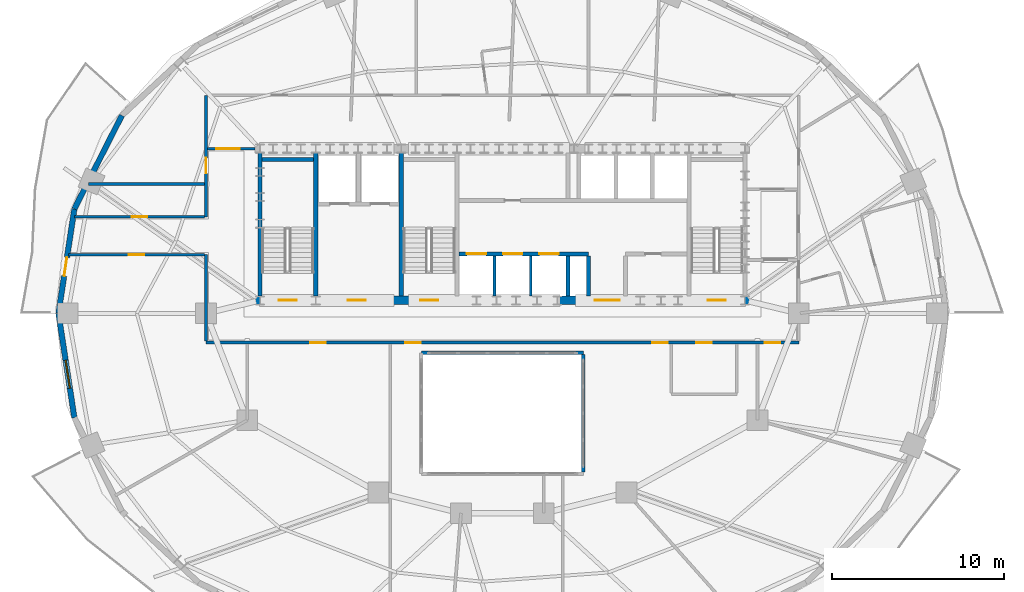
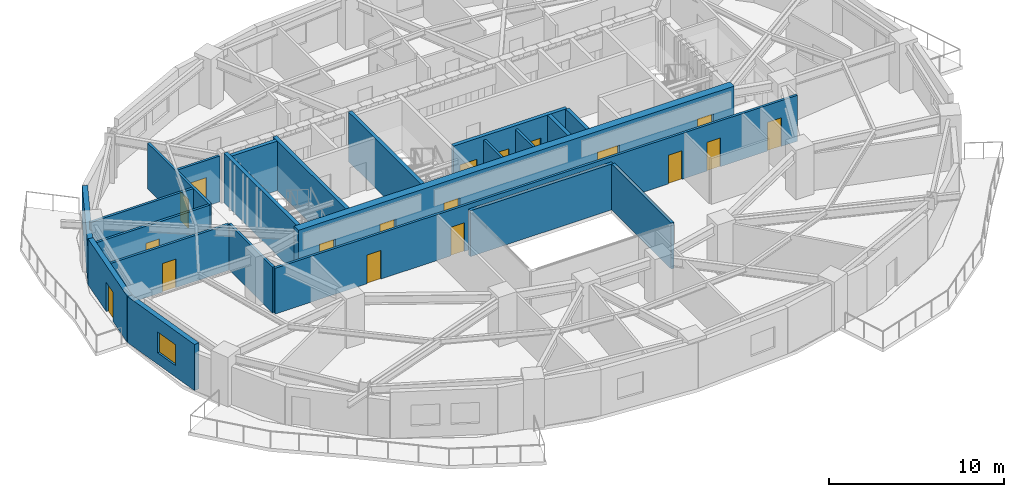
# One storey, part 6 of 13: 22 walls, 18 doors, 1 window, 19 openings.
"""IFC4 building model written with IfcOpenShell, lengths in metres."""

from ifc_helpers import new_model, si_unit, direction, frame, frame_2d, origin, place, context, subcontext, project, spatial, rectangle, extrude, material, layer, layer_set, type_object, element, fill, save


model = new_model("IFC4")

# Units and contexts
model_context = context("Model", 3, precision=1e-05, world=origin(), true_north=direction((0.0, 1.0)))
body_context = subcontext(model_context, "Body", "Model", "MODEL_VIEW")
ifc_project = project(units=[si_unit("LENGTHUNIT", "METRE"), si_unit("AREAUNIT", "SQUARE_METRE"), si_unit("VOLUMEUNIT", "CUBIC_METRE"), si_unit("PLANEANGLEUNIT", "RADIAN"), si_unit("MASSUNIT", "GRAM", prefix="KILO")], contexts=[model_context])

# Site, building, storey
site_placement = place(None, origin())
site = spatial("IfcSite", under=ifc_project, at=site_placement, CompositionType="ELEMENT")
building_placement = place(site_placement, origin())
building = spatial("IfcBuilding", under=site, at=building_placement, Name="Haldorwick Loom Tower", CompositionType="ELEMENT")
storey_placement = place(building_placement, frame((0.0, 0.0, 139.10009765625)))
storey = spatial("IfcBuildingStorey", under=building, at=storey_placement, Name="L37", CompositionType="ELEMENT", Elevation=139.10009765625)

# Wall
ifc_material_1 = material(Name="Pressed Clay Face Brick and Insulated Masonry Backup Assembly", Category="masonry")
ifc_layer_1 = layer(ifc_material_1, 0.320068359375, Name="Pressed Clay Face Brick and Insulated Masonry Backup Assembly", Category="masonry")
ifc_layer_set_1 = layer_set([ifc_layer_1], Name="Pressed Clay Face Brick and Insulated Masonry Backup Assembly")
wall_type_1 = type_object("IfcWallType", Name="ARC-WL-EXT320", PredefinedType="STANDARD", material=ifc_layer_set_1)
wall_1_placement = place(storey_placement, frame((13.92333984375, 37.481201171875, 0.0), z_axis=(0.0, 0.0, 1.0), x_axis=(-0.453172129629, -0.89142303141, 0.0)))
element("IfcWall", 1, at=wall_1_placement, inside=storey, type_object=wall_type_1, Name="L37 Brick Pier and Spandrel Wall 11", PredefinedType="STANDARD", context=body_context, shape_type="SweptSolid", body=[
    extrude(rectangle(XDim=6.086669921875, YDim=0.320068359375, at=frame_2d((3.04345703125, 0.0))), origin(), (0.0, 0.0, 1.0), 2.640869140625),
])

# Wall, opening, door
wall_2_placement = place(storey_placement, frame((11.1650390625, 32.055419921875, 0.0), z_axis=(0.0, 0.0, 1.0), x_axis=(-0.150544467684, -0.988603238539, 0.0)))
wall_2 = element("IfcWall", 2, at=wall_2_placement, inside=storey, type_object=wall_type_1, Name="L37 Brick Pier and Spandrel Wall 12", PredefinedType="STANDARD", context=body_context, shape_type="SweptSolid", body=[
    extrude(rectangle(XDim=6.125244140625, YDim=0.320068359375, at=frame_2d((3.0625, 0.0))), origin(), (0.0, 0.0, 1.0), 3.2099609375),
])
opening_1_placement = place(wall_2_placement, frame((2.8515625, 0.0, 0.0)))
opening_1 = element("IfcOpeningElement", 3, at=opening_1_placement, cuts=wall_2, Name="Opening D-BL11", PredefinedType="OPENING", context=body_context, shape_type="SweptSolid", body=[
    extrude(rectangle(XDim=1.080078125, YDim=2.0400390625, at=frame_2d((0.5400390625, 1.02001953125))), frame((0.0, 0.169921875, 0.0), z_axis=(0.0, -1.0, 0.0), x_axis=(1.0, 0.0, 0.0)), (0.0, 0.0, 1.0), 0.340087890625),
])
ifc_material_2 = material(Name="Thermally Broken Anodized Aluminium Curtain Wall Framing", Category="aluminium")
door_type_1 = type_object("IfcDoorType", Name="ARC-DR-BAL110", OperationType="NOTDEFINED", PredefinedType="DOOR", material=ifc_material_2)
door_1_placement = place(opening_1_placement, origin())
door_1 = element("IfcDoor", 4, at=door_1_placement, inside=storey, type_object=door_type_1, Name="L37 Outdoor Terrace Door SLB-L37-BAL_WNW", OperationType="SINGLE_SWING_LEFT", OverallHeight=2.0400390625, OverallWidth=1.080078125, PredefinedType="DOOR", context=body_context, shape_type="SweptSolid", body=[
    extrude(rectangle(XDim=1.080078125, YDim=2.0400390625, at=frame_2d((0.5400390625, 1.02001953125))), frame((0.0, 0.02490234375, 0.0), z_axis=(0.0, -1.0, 0.0), x_axis=(1.0, 0.0, 0.0)), (0.0, 0.0, 1.0), 0.050048828125),
])
fill(opening_1, door_1)

# Wall, opening, window
wall_3_placement = place(storey_placement, frame((10.242919921875, 26.0, 0.0), z_axis=(0.0, 0.0, 1.0), x_axis=(0.150544467684, -0.988603238539, 0.0)))
wall_3 = element("IfcWall", 5, at=wall_3_placement, inside=storey, type_object=wall_type_1, Name="L37 Brick Pier and Spandrel Wall 13", PredefinedType="STANDARD", context=body_context, shape_type="SweptSolid", body=[
    extrude(rectangle(XDim=6.125244140625, YDim=0.320068359375, at=frame_2d((3.0625, 0.0))), origin(), (0.0, 0.0, 1.0), 3.2099609375),
])
opening_2_placement = place(wall_3_placement, frame((2.749755859375, 0.0, 0.800048828125)))
opening_2 = element("IfcOpeningElement", 6, at=opening_2_placement, cuts=wall_3, Name="Opening W-01B", PredefinedType="OPENING", context=body_context, shape_type="SweptSolid", body=[
    extrude(rectangle(XDim=1.64990234375, YDim=1.449951171875, at=frame_2d((0.824951171875, 0.72509765625))), frame((0.0, 0.169921875, 0.0), z_axis=(0.0, -1.0, 0.0), x_axis=(1.0, 0.0, 0.0)), (0.0, 0.0, 1.0), 0.340087890625),
])
ifc_material_3 = material(Name="Triple-Glazed Low-E Argon Insulated Glazing Unit", Category="glass")
window_type = type_object("IfcWindowType", Name="ARC-WIN-W165", PartitioningType="SINGLE_PANEL", PredefinedType="WINDOW", material=ifc_material_3)
window_placement = place(opening_2_placement, origin())
window = element("IfcWindow", 7, at=window_placement, inside=storey, type_object=window_type, Name="L37 Deep-Set Zone 7A Window 13", OverallHeight=1.449951171875, OverallWidth=1.64990234375, PartitioningType="SINGLE_PANEL", PredefinedType="WINDOW", context=body_context, shape_type="SweptSolid", body=[
    extrude(rectangle(XDim=1.64990234375, YDim=1.449951171875, at=frame_2d((0.824951171875, 0.72509765625))), frame((0.0, 0.030029296875, 0.0), z_axis=(0.0, -1.0, 0.0), x_axis=(1.0, 0.0, 0.0)), (0.0, 0.0, 1.0), 0.06005859375),
])
fill(opening_2, window)

# Wall, openings, doors
ifc_material_4 = material(Name="Fire-Rated Type X Gypsum Stud Assembly EI 60")
ifc_layer_2 = layer(ifc_material_4, 0.159912109375, Name="Fire-Rated Type X Gypsum Stud Assembly EI 60")
ifc_layer_set_2 = layer_set([ifc_layer_2], Name="Fire-Rated Type X Gypsum Stud Assembly EI 60")
wall_type_2 = type_object("IfcWallType", Name="ARC-WL-FIRE160", PredefinedType="PARTITIONING", material=ifc_layer_set_2)
wall_4_placement = place(storey_placement, frame((18.800048828125, 24.300048828125, 0.0), z_axis=(0.0, 0.0, 1.0), x_axis=(1.0, 0.0, 0.0)))
wall_4 = element("IfcWall", 8, at=wall_4_placement, inside=storey, type_object=wall_type_2, Name="L37 Residential Fire Partition L37-CR-SP", PredefinedType="PARTITIONING", context=body_context, shape_type="SweptSolid", body=[
    extrude(rectangle(XDim=34.39990234375, YDim=0.159912109375, at=frame_2d((17.199951171875, 0.0))), origin(), (0.0, 0.0, 1.0), 3.19482421875),
])
opening_3_placement = place(wall_4_placement, frame((25.9013671875, 0.0, 0.0)))
opening_3 = element("IfcOpeningElement", 9, at=opening_3_placement, cuts=wall_4, Name="Opening D-FD60A", PredefinedType="OPENING", context=body_context, shape_type="SweptSolid", body=[
    extrude(rectangle(XDim=0.89990234375, YDim=2.0, at=frame_2d((0.449951171875, 1.0))), frame((0.0, 0.08984375, 0.0), z_axis=(0.0, -1.0, 0.0), x_axis=(1.0, 0.0, 0.0)), (0.0, 0.0, 1.0), 0.179931640625),
])
opening_4_placement = place(wall_4_placement, frame((11.56591796875, 0.0, 0.0)))
opening_4 = element("IfcOpeningElement", 10, at=opening_4_placement, cuts=wall_4, Name="Opening D-FD60A", PredefinedType="OPENING", context=body_context, shape_type="SweptSolid", body=[
    extrude(rectangle(XDim=0.89990234375, YDim=2.0, at=frame_2d((0.449951171875, 1.0))), frame((0.0, 0.08984375, 0.0), z_axis=(0.0, -1.0, 0.0), x_axis=(1.0, 0.0, 0.0)), (0.0, 0.0, 1.0), 0.179931640625),
])
opening_5_placement = place(wall_4_placement, frame((6.05517578125, 0.0, 0.0)))
opening_5 = element("IfcOpeningElement", 11, at=opening_5_placement, cuts=wall_4, Name="Opening D-FD60A", PredefinedType="OPENING", context=body_context, shape_type="SweptSolid", body=[
    extrude(rectangle(XDim=0.89990234375, YDim=2.0, at=frame_2d((0.449951171875, 1.0))), frame((0.0, 0.08984375, 0.0), z_axis=(0.0, -1.0, 0.0), x_axis=(1.0, 0.0, 0.0)), (0.0, 0.0, 1.0), 0.179931640625),
])
opening_6_placement = place(wall_4_placement, frame((28.437255859375, 0.0, 0.0)))
opening_6 = element("IfcOpeningElement", 12, at=opening_6_placement, cuts=wall_4, Name="Opening D-FD60A", PredefinedType="OPENING", context=body_context, shape_type="SweptSolid", body=[
    extrude(rectangle(XDim=0.89990234375, YDim=2.0, at=frame_2d((0.449951171875, 1.0))), frame((0.0, 0.08984375, 0.0), z_axis=(0.0, -1.0, 0.0), x_axis=(1.0, 0.0, 0.0)), (0.0, 0.0, 1.0), 0.179931640625),
])
opening_7_placement = place(wall_4_placement, frame((32.436767578125, 0.0, 0.0)))
opening_7 = element("IfcOpeningElement", 13, at=opening_7_placement, cuts=wall_4, Name="Opening D-FD60A", PredefinedType="OPENING", context=body_context, shape_type="SweptSolid", body=[
    extrude(rectangle(XDim=0.89990234375, YDim=2.0, at=frame_2d((0.449951171875, 1.0))), frame((0.0, 0.08984375, 0.0), z_axis=(0.0, -1.0, 0.0), x_axis=(1.0, 0.0, 0.0)), (0.0, 0.0, 1.0), 0.179931640625),
])
ifc_material_5 = material(Name="Hollow Steel Fire Door Assembly", Category="steel")
door_type_2 = type_object("IfcDoorType", Name="ARC-DR-FD60-90", OperationType="NOTDEFINED", PredefinedType="DOOR", material=ifc_material_5)
door_2_placement = place(opening_3_placement, origin())
door_2 = element("IfcDoor", 14, at=door_2_placement, inside=storey, type_object=door_type_2, Name="L37 L37 Central Residential Corridor to Shared Resident Dining Hall 2 Do", OperationType="SINGLE_SWING_LEFT", OverallHeight=2.0, OverallWidth=0.89990234375, PredefinedType="DOOR", context=body_context, shape_type="SweptSolid", body=[
    extrude(rectangle(XDim=0.89990234375, YDim=2.0, at=frame_2d((0.449951171875, 1.0))), frame((0.0, 0.02490234375, 0.0), z_axis=(0.0, -1.0, 0.0), x_axis=(1.0, 0.0, 0.0)), (0.0, 0.0, 1.0), 0.050048828125),
])
fill(opening_3, door_2)
door_3_placement = place(opening_4_placement, origin())
door_3 = element("IfcDoor", 15, at=door_3_placement, inside=storey, type_object=door_type_2, Name="L37 L37 Central Residential Corridor to Shared Resident Dining Hall 1 Do", OperationType="SINGLE_SWING_RIGHT", OverallHeight=2.0, OverallWidth=0.89990234375, PredefinedType="DOOR", context=body_context, shape_type="SweptSolid", body=[
    extrude(rectangle(XDim=0.89990234375, YDim=2.0, at=frame_2d((0.449951171875, 1.0))), frame((0.0, 0.02490234375, 0.0), z_axis=(0.0, -1.0, 0.0), x_axis=(1.0, 0.0, 0.0)), (0.0, 0.0, 1.0), 0.050048828125),
])
fill(opening_4, door_3)
door_4_placement = place(opening_5_placement, origin())
door_4 = element("IfcDoor", 16, at=door_4_placement, inside=storey, type_object=door_type_2, Name="L37 L37 Central Residential Corridor to Shared Resident Dining Hall 3 Do", OperationType="SINGLE_SWING_LEFT", OverallHeight=2.0, OverallWidth=0.89990234375, PredefinedType="DOOR", context=body_context, shape_type="SweptSolid", body=[
    extrude(rectangle(XDim=0.89990234375, YDim=2.0, at=frame_2d((0.449951171875, 1.0))), frame((0.0, 0.02490234375, 0.0), z_axis=(0.0, -1.0, 0.0), x_axis=(1.0, 0.0, 0.0)), (0.0, 0.0, 1.0), 0.050048828125),
])
fill(opening_5, door_4)
door_5_placement = place(opening_6_placement, origin())
door_5 = element("IfcDoor", 17, at=door_5_placement, inside=storey, type_object=door_type_2, Name="L37 L37 Central Residential Corridor to Common Accessible WC Door", OperationType="SINGLE_SWING_LEFT", OverallHeight=2.0, OverallWidth=0.89990234375, PredefinedType="DOOR", context=body_context, shape_type="SweptSolid", body=[
    extrude(rectangle(XDim=0.89990234375, YDim=2.0, at=frame_2d((0.449951171875, 1.0))), frame((0.0, 0.02490234375, 0.0), z_axis=(0.0, -1.0, 0.0), x_axis=(1.0, 0.0, 0.0)), (0.0, 0.0, 1.0), 0.050048828125),
])
fill(opening_6, door_5)
door_6_placement = place(opening_7_placement, origin())
door_6 = element("IfcDoor", 18, at=door_6_placement, inside=storey, type_object=door_type_2, Name="L37 L37 Central Residential Corridor to Shared Resident Dining Hall 2 Do", OperationType="SINGLE_SWING_RIGHT", OverallHeight=2.0, OverallWidth=0.89990234375, PredefinedType="DOOR", context=body_context, shape_type="SweptSolid", body=[
    extrude(rectangle(XDim=0.89990234375, YDim=2.0, at=frame_2d((0.449951171875, 1.0))), frame((0.0, 0.02490234375, 0.0), z_axis=(0.0, -1.0, 0.0), x_axis=(1.0, 0.0, 0.0)), (0.0, 0.0, 1.0), 0.050048828125),
])
fill(opening_7, door_6)

# Wall
wall_5_placement = place(storey_placement, frame((18.800048828125, 24.383056640625, 0.0), z_axis=(0.0, 0.0, 1.0), x_axis=(0.0, 1.0, 0.0)))
element("IfcWall", 19, at=wall_5_placement, inside=storey, type_object=wall_type_2, Name="L37 Residential Fire Partition L37-CR-W0A", PredefinedType="PARTITIONING", context=body_context, shape_type="SweptSolid", body=[
    extrude(rectangle(XDim=5.016845703125, YDim=0.159912109375, at=frame_2d((2.50830078125, 0.0))), origin(), (0.0, 0.0, 1.0), 3.19482421875),
])

# Wall, opening, door
wall_6_placement = place(storey_placement, frame((18.800048828125, 31.60009765625, 0.0), z_axis=(0.0, 0.0, 1.0), x_axis=(0.0, 1.0, 0.0)))
wall_6 = element("IfcWall", 20, at=wall_6_placement, inside=storey, type_object=wall_type_2, Name="L37 Residential Fire Partition L37-CR-W0B", PredefinedType="PARTITIONING", context=body_context, shape_type="SweptSolid", body=[
    extrude(rectangle(XDim=7.0498046875, YDim=0.159912109375, at=frame_2d((3.52490234375, 0.0))), origin(), (0.0, 0.0, 1.0), 3.19482421875),
])
opening_8_placement = place(wall_6_placement, frame((2.524169921875, 0.0, 0.0)))
opening_8 = element("IfcOpeningElement", 21, at=opening_8_placement, cuts=wall_6, Name="Opening D-FD60A", PredefinedType="OPENING", context=body_context, shape_type="SweptSolid", body=[
    extrude(rectangle(XDim=0.89990234375, YDim=2.0, at=frame_2d((0.449951171875, 1.0))), frame((0.0, 0.08984375, 0.0), z_axis=(0.0, -1.0, 0.0), x_axis=(1.0, 0.0, 0.0)), (0.0, 0.0, 1.0), 0.179931640625),
])
door_7_placement = place(opening_8_placement, frame((0.89990234375, 0.0, 0.0), z_axis=(0.0, 0.0, 1.0), x_axis=(-1.0, 0.0, 0.0)))
door_7 = element("IfcDoor", 22, at=door_7_placement, inside=storey, type_object=door_type_2, Name="L37 Shared Resident Dining Hall 5 to L37 Central Residential Corridor Do", OperationType="SINGLE_SWING_LEFT", OverallHeight=2.0, OverallWidth=0.89990234375, PredefinedType="DOOR", context=body_context, shape_type="SweptSolid", body=[
    extrude(rectangle(XDim=0.89990234375, YDim=2.0, at=frame_2d((0.449951171875, 1.0))), frame((0.0, 0.02490234375, 0.0), z_axis=(0.0, -1.0, 0.0), x_axis=(1.0, 0.0, 0.0)), (0.0, 0.0, 1.0), 0.050048828125),
])
fill(opening_8, door_7)

wall_7_placement = place(storey_placement, frame((10.826416015625, 29.39990234375, 0.0), z_axis=(0.0, 0.0, 1.0), x_axis=(1.0, 0.0, 0.0)))
wall_7 = element("IfcWall", 23, at=wall_7_placement, inside=storey, type_object=wall_type_2, Name="L37 Residential Fire Partition L37-CR-GW0", PredefinedType="PARTITIONING", context=body_context, shape_type="SweptSolid", body=[
    extrude(rectangle(XDim=7.890625, YDim=0.159912109375, at=frame_2d((3.9453125, 0.0))), origin(), (0.0, 0.0, 1.0), 3.19482421875),
])
opening_9_placement = place(wall_7_placement, frame((3.4951171875, 0.0, 0.0)))
opening_9 = element("IfcOpeningElement", 24, at=opening_9_placement, cuts=wall_7, Name="Opening D-FD60A", PredefinedType="OPENING", context=body_context, shape_type="SweptSolid", body=[
    extrude(rectangle(XDim=0.89990234375, YDim=2.0, at=frame_2d((0.449951171875, 1.0))), frame((0.0, 0.08984375, 0.0), z_axis=(0.0, -1.0, 0.0), x_axis=(1.0, 0.0, 0.0)), (0.0, 0.0, 1.0), 0.179931640625),
])
door_8_placement = place(opening_9_placement, origin())
door_8 = element("IfcDoor", 25, at=door_8_placement, inside=storey, type_object=door_type_2, Name="L37 L37 Central Residential Corridor to Shared Resident Dining Hall 3 Do", OperationType="SINGLE_SWING_RIGHT", OverallHeight=2.0, OverallWidth=0.89990234375, PredefinedType="DOOR", context=body_context, shape_type="SweptSolid", body=[
    extrude(rectangle(XDim=0.89990234375, YDim=2.0, at=frame_2d((0.449951171875, 1.0))), frame((0.0, 0.02490234375, 0.0), z_axis=(0.0, -1.0, 0.0), x_axis=(1.0, 0.0, 0.0)), (0.0, 0.0, 1.0), 0.050048828125),
])
fill(opening_9, door_8)

wall_8_placement = place(storey_placement, frame((11.16162109375, 31.60009765625, 0.0), z_axis=(0.0, 0.0, 1.0), x_axis=(1.0, 0.0, 0.0)))
wall_8 = element("IfcWall", 26, at=wall_8_placement, inside=storey, type_object=wall_type_2, Name="L37 Residential Fire Partition L37-CR-GW1", PredefinedType="PARTITIONING", context=body_context, shape_type="SweptSolid", body=[
    extrude(rectangle(XDim=7.555419921875, YDim=0.159912109375, at=frame_2d((3.77783203125, 0.0))), origin(), (0.0, 0.0, 1.0), 3.19482421875),
])
opening_10_placement = place(wall_8_placement, frame((3.32763671875, 0.0, 0.0)))
opening_10 = element("IfcOpeningElement", 27, at=opening_10_placement, cuts=wall_8, Name="Opening D-FD60A", PredefinedType="OPENING", context=body_context, shape_type="SweptSolid", body=[
    extrude(rectangle(XDim=0.89990234375, YDim=2.0, at=frame_2d((0.449951171875, 1.0))), frame((0.0, 0.08984375, 0.0), z_axis=(0.0, -1.0, 0.0), x_axis=(1.0, 0.0, 0.0)), (0.0, 0.0, 1.0), 0.179931640625),
])
door_9_placement = place(opening_10_placement, frame((0.89990234375, 0.0, 0.0), z_axis=(0.0, 0.0, 1.0), x_axis=(-1.0, 0.0, 0.0)))
door_9 = element("IfcDoor", 28, at=door_9_placement, inside=storey, type_object=door_type_2, Name="L37 Shared Dining Hall 1 to L37 Central Residential Corridor Door", OperationType="SINGLE_SWING_LEFT", OverallHeight=2.0, OverallWidth=0.89990234375, PredefinedType="DOOR", context=body_context, shape_type="SweptSolid", body=[
    extrude(rectangle(XDim=0.89990234375, YDim=2.0, at=frame_2d((0.449951171875, 1.0))), frame((0.0, 0.02490234375, 0.0), z_axis=(0.0, -1.0, 0.0), x_axis=(1.0, 0.0, 0.0)), (0.0, 0.0, 1.0), 0.050048828125),
])
fill(opening_10, door_9)

wall_9_placement = place(storey_placement, frame((18.883056640625, 35.550048828125, 0.0), z_axis=(0.0, 0.0, 1.0), x_axis=(1.0, 0.0, 0.0)))
wall_9 = element("IfcWall", 29, at=wall_9_placement, inside=storey, type_object=wall_type_2, Name="L37 Residential Fire Partition L37-CR-WNC", PredefinedType="PARTITIONING", context=body_context, shape_type="SweptSolid", body=[
    extrude(rectangle(XDim=2.766845703125, YDim=0.159912109375, at=frame_2d((1.38330078125, 0.0))), origin(), (0.0, 0.0, 1.0), 3.19482421875),
])
opening_11_placement = place(wall_9_placement, frame((0.524169921875, 0.0, 0.0)))
opening_11 = element("IfcOpeningElement", 30, at=opening_11_placement, cuts=wall_9, Name="Opening D-CR15", PredefinedType="OPENING", context=body_context, shape_type="SweptSolid", body=[
    extrude(rectangle(XDim=1.35009765625, YDim=2.0, at=frame_2d((0.675048828125, 1.0))), frame((0.0, 0.08984375, 0.0), z_axis=(0.0, -1.0, 0.0), x_axis=(1.0, 0.0, 0.0)), (0.0, 0.0, 1.0), 0.179931640625),
])
ifc_material_6 = material(Name="Thermally Broken Anodized Aluminium and Tempered Glass", Category="aluminium")
door_type_3 = type_object("IfcDoorType", Name="ARC-DR-COR150", OperationType="NOTDEFINED", PredefinedType="DOOR", material=ifc_material_6)
door_10_placement = place(opening_11_placement, origin())
door_10 = element("IfcDoor", 31, at=door_10_placement, inside=storey, type_object=door_type_3, Name="L37 L37 North Residential Corridor to L37 Central Residential Corridor D", OperationType="DOUBLE_DOOR_SINGLE_SWING", OverallHeight=2.0, OverallWidth=1.35009765625, PredefinedType="DOOR", context=body_context, shape_type="SweptSolid", body=[
    extrude(rectangle(XDim=1.35009765625, YDim=2.0, at=frame_2d((0.675048828125, 1.0))), frame((0.0, 0.02490234375, 0.0), z_axis=(0.0, -1.0, 0.0), x_axis=(1.0, 0.0, 0.0)), (0.0, 0.0, 1.0), 0.050048828125),
])
fill(opening_11, door_10)

# Walls
wall_10_placement = place(storey_placement, frame((11.972412109375, 33.5, 0.0), z_axis=(0.0, 0.0, 1.0), x_axis=(1.0, 0.0, 0.0)))
element("IfcWall", 32, at=wall_10_placement, inside=storey, type_object=wall_type_2, Name="L37 Residential Fire Partition L37-FLW-15", PredefinedType="PARTITIONING", context=body_context, shape_type="SweptSolid", body=[
    extrude(rectangle(XDim=6.74462890625, YDim=0.159912109375, at=frame_2d((3.372314453125, 0.0))), origin(), (0.0, 0.0, 1.0), 3.19482421875),
])
ifc_material_7 = material(Name="Fire-Rated Type X Gypsum Stud Assembly EI 120")
ifc_layer_3 = layer(ifc_material_7, 0.199951171875, Name="Fire-Rated Type X Gypsum Stud Assembly EI 120")
ifc_layer_set_3 = layer_set([ifc_layer_3], Name="Fire-Rated Type X Gypsum Stud Assembly EI 120")
wall_type_3 = type_object("IfcWallType", Name="ARC-WL-FIRE200", PredefinedType="PARTITIONING", material=ifc_layer_set_3)
wall_11_placement = place(storey_placement, frame((31.300048828125, 23.699951171875, 0.0), z_axis=(0.0, 0.0, 1.0), x_axis=(1.0, 0.0, 0.0)))
element("IfcWall", 33, at=wall_11_placement, inside=storey, type_object=wall_type_3, Name="L37 Atrium Fire Enclosure Wall N", PredefinedType="PARTITIONING", context=body_context, shape_type="SweptSolid", body=[
    extrude(rectangle(XDim=9.39990234375, YDim=0.199951171875, at=frame_2d((4.699951171875, 0.0))), origin(), (0.0, 0.0, 1.0), 3.19482421875),
])
wall_12_placement = place(storey_placement, frame((40.699951171875, 23.596923828125, 0.0), z_axis=(0.0, 0.0, 1.0), x_axis=(0.0, -1.0, 0.0)))
element("IfcWall", 34, at=wall_12_placement, inside=storey, type_object=wall_type_3, Name="L37 Atrium Fire Enclosure Wall E", PredefinedType="PARTITIONING", context=body_context, shape_type="SweptSolid", body=[
    extrude(rectangle(XDim=6.7939453125, YDim=0.199951171875, at=frame_2d((3.39697265625, 0.0))), origin(), (0.0, 0.0, 1.0), 3.19482421875),
])
ifc_layer_4 = layer(ifc_material_7, 0.1650390625, Name="Fire-Rated Type X Gypsum Stud Assembly EI 120")
ifc_layer_set_4 = layer_set([ifc_layer_4], Name="Fire-Rated Type X Gypsum Stud Assembly EI 120")
wall_type_4 = type_object("IfcWallType", Name="ARC-WL-SHAFT160", PredefinedType="MOVABLE", material=ifc_layer_set_4)
for number, where, z_axis, x_axis, name in (
    (35, (35.550048828125, 27.0029296875, 0.0), (0.0, 0.0, 1.0), (0.0, 1.0, 0.0), "L37 Mid-Rise Hoistway Divider 1"),
    (36, (37.64990234375, 27.0029296875, 0.0), (0.0, 0.0, 1.0), (0.0, 1.0, 0.0), "L37 Mid-Rise Hoistway Divider 2"),
):
    element("IfcWall", number, at=place(storey_placement, frame(where, z_axis=z_axis, x_axis=x_axis)), inside=storey, type_object=wall_type_4, Name=name, PredefinedType="MOVABLE", context=body_context, shape_type="SweptSolid", body=[
        extrude(rectangle(XDim=2.323974609375, YDim=0.159912109375, at=frame_2d((1.162109375, 0.0))), origin(), (0.0, 0.0, 1.0), 3.19482421875),
    ])

# Wall, openings, doors
ifc_material_8 = material(Name="Concrete C60 (60 MPa)", Category="concrete")
ifc_layer_5 = layer(ifc_material_8, 0.5, Name="Concrete C60 (60 MPa)", Category="concrete")
ifc_layer_set_5 = layer_set([ifc_layer_5], Name="Concrete C60 (60 MPa)")
wall_type_5 = type_object("IfcWallType", Name="STR-WL-CORE500", PredefinedType="SHEAR", material=ifc_layer_set_5)
wall_13_placement = place(storey_placement, frame((21.64990234375, 26.75, 0.0), z_axis=(0.0, 0.0, 1.0), x_axis=(1.0, 0.0, 0.0)))
wall_13 = element("IfcWall", 37, at=wall_13_placement, inside=storey, type_object=wall_type_5, Name="L37 Core Shear Wall S", PredefinedType="SHEAR", context=body_context, shape_type="SweptSolid", body=[
    extrude(rectangle(XDim=28.7001953125, YDim=0.5, at=frame_2d((14.35009765625, 0.0))), origin(), (0.0, 0.0, 1.0), 3.449951171875),
])
opening_12_placement = place(wall_13_placement, frame((1.375, 0.0, 0.0)))
opening_12 = element("IfcOpeningElement", 38, at=opening_12_placement, cuts=wall_13, Name="Opening D-FD60", PredefinedType="OPENING", context=body_context, shape_type="SweptSolid", body=[
    extrude(rectangle(XDim=1.050048828125, YDim=2.0, at=frame_2d((0.52490234375, 1.0))), frame((0.0, 0.260009765625, 0.0), z_axis=(0.0, -1.0, 0.0), x_axis=(1.0, 0.0, 0.0)), (0.0, 0.0, 1.0), 0.52001953125),
])
opening_13_placement = place(wall_13_placement, frame((5.375, 0.0, 0.0)))
opening_13 = element("IfcOpeningElement", 39, at=opening_13_placement, cuts=wall_13, Name="Opening D-FD60", PredefinedType="OPENING", context=body_context, shape_type="SweptSolid", body=[
    extrude(rectangle(XDim=1.050048828125, YDim=2.0, at=frame_2d((0.52490234375, 1.0))), frame((0.0, 0.260009765625, 0.0), z_axis=(0.0, -1.0, 0.0), x_axis=(1.0, 0.0, 0.0)), (0.0, 0.0, 1.0), 0.52001953125),
])
opening_14_placement = place(wall_13_placement, frame((9.574951171875, 0.0, 0.0)))
opening_14 = element("IfcOpeningElement", 40, at=opening_14_placement, cuts=wall_13, Name="Opening D-FD60", PredefinedType="OPENING", context=body_context, shape_type="SweptSolid", body=[
    extrude(rectangle(XDim=1.050048828125, YDim=2.0, at=frame_2d((0.52490234375, 1.0))), frame((0.0, 0.260009765625, 0.0), z_axis=(0.0, -1.0, 0.0), x_axis=(1.0, 0.0, 0.0)), (0.0, 0.0, 1.0), 0.52001953125),
])
opening_15_placement = place(wall_13_placement, frame((19.705078125, 0.0, 0.0)))
opening_15 = element("IfcOpeningElement", 41, at=opening_15_placement, cuts=wall_13, Name="Opening D-LB15", PredefinedType="OPENING", context=body_context, shape_type="SweptSolid", body=[
    extrude(rectangle(XDim=1.449951171875, YDim=2.0, at=frame_2d((0.72509765625, 1.0))), frame((0.0, 0.260009765625, 0.0), z_axis=(0.0, -1.0, 0.0), x_axis=(1.0, 0.0, 0.0)), (0.0, 0.0, 1.0), 0.52001953125),
])
opening_16_placement = place(wall_13_placement, frame((26.27490234375, 0.0, 0.0)))
opening_16 = element("IfcOpeningElement", 42, at=opening_16_placement, cuts=wall_13, Name="Opening D-FD60", PredefinedType="OPENING", context=body_context, shape_type="SweptSolid", body=[
    extrude(rectangle(XDim=1.050048828125, YDim=2.0, at=frame_2d((0.52490234375, 1.0))), frame((0.0, 0.260009765625, 0.0), z_axis=(0.0, -1.0, 0.0), x_axis=(1.0, 0.0, 0.0)), (0.0, 0.0, 1.0), 0.52001953125),
])
door_type_4 = type_object("IfcDoorType", Name="ARC-DR-FD60", OperationType="NOTDEFINED", PredefinedType="DOOR", material=ifc_material_5)
door_11_placement = place(opening_12_placement, origin())
door_11 = element("IfcDoor", 43, at=door_11_placement, inside=storey, type_object=door_type_4, Name="L37 Exit Stair ST-01 Fire Door", OperationType="SINGLE_SWING_LEFT", OverallHeight=2.0, OverallWidth=1.050048828125, PredefinedType="DOOR", context=body_context, shape_type="SweptSolid", body=[
    extrude(rectangle(XDim=1.050048828125, YDim=2.0, at=frame_2d((0.52490234375, 1.0))), frame((0.0, 0.02490234375, 0.0), z_axis=(0.0, -1.0, 0.0), x_axis=(1.0, 0.0, 0.0)), (0.0, 0.0, 1.0), 0.050048828125),
])
fill(opening_12, door_11)
door_12_placement = place(opening_13_placement, origin())
door_12 = element("IfcDoor", 44, at=door_12_placement, inside=storey, type_object=door_type_4, Name="L37 Firefighting Lift Lobby Fire Door", OperationType="SINGLE_SWING_RIGHT", OverallHeight=2.0, OverallWidth=1.050048828125, PredefinedType="DOOR", context=body_context, shape_type="SweptSolid", body=[
    extrude(rectangle(XDim=1.050048828125, YDim=2.0, at=frame_2d((0.52490234375, 1.0))), frame((0.0, 0.02490234375, 0.0), z_axis=(0.0, -1.0, 0.0), x_axis=(1.0, 0.0, 0.0)), (0.0, 0.0, 1.0), 0.050048828125),
])
fill(opening_13, door_12)
door_13_placement = place(opening_14_placement, origin())
door_13 = element("IfcDoor", 45, at=door_13_placement, inside=storey, type_object=door_type_4, Name="L37 Exit Stair ST-03 Fire Door", OperationType="SINGLE_SWING_LEFT", OverallHeight=2.0, OverallWidth=1.050048828125, PredefinedType="DOOR", context=body_context, shape_type="SweptSolid", body=[
    extrude(rectangle(XDim=1.050048828125, YDim=2.0, at=frame_2d((0.52490234375, 1.0))), frame((0.0, 0.02490234375, 0.0), z_axis=(0.0, -1.0, 0.0), x_axis=(1.0, 0.0, 0.0)), (0.0, 0.0, 1.0), 0.050048828125),
])
fill(opening_14, door_13)
door_14_placement = place(opening_16_placement, origin())
door_14 = element("IfcDoor", 46, at=door_14_placement, inside=storey, type_object=door_type_4, Name="L37 Exit Stair ST-02 Fire Door", OperationType="SINGLE_SWING_LEFT", OverallHeight=2.0, OverallWidth=1.050048828125, PredefinedType="DOOR", context=body_context, shape_type="SweptSolid", body=[
    extrude(rectangle(XDim=1.050048828125, YDim=2.0, at=frame_2d((0.52490234375, 1.0))), frame((0.0, 0.02490234375, 0.0), z_axis=(0.0, -1.0, 0.0), x_axis=(1.0, 0.0, 0.0)), (0.0, 0.0, 1.0), 0.050048828125),
])
fill(opening_16, door_14)
door_type_5 = type_object("IfcDoorType", Name="ARC-DR-LOB150", OperationType="NOTDEFINED", PredefinedType="DOOR", material=ifc_material_6)
door_15_placement = place(opening_15_placement, frame((1.449951171875, 0.0, 0.0), z_axis=(0.0, 0.0, 1.0), x_axis=(-1.0, 0.0, 0.0)))
door_15 = element("IfcDoor", 47, at=door_15_placement, inside=storey, type_object=door_type_5, Name="L37 Passenger Lift Lobby Fire Door", OperationType="DOUBLE_DOOR_SINGLE_SWING", OverallHeight=2.0, OverallWidth=1.449951171875, PredefinedType="DOOR", context=body_context, shape_type="SweptSolid", body=[
    extrude(rectangle(XDim=1.449951171875, YDim=2.0, at=frame_2d((0.72509765625, 1.0))), frame((0.0, 0.02490234375, 0.0), z_axis=(0.0, -1.0, 0.0), x_axis=(1.0, 0.0, 0.0)), (0.0, 0.0, 1.0), 0.050048828125),
])
fill(opening_15, door_15)

# Walls
ifc_material_9 = material(Name="Concrete C50 (50 MPa)", Category="concrete")
ifc_layer_6 = layer(ifc_material_9, 0.239990234375, Name="Concrete C50 (50 MPa)", Category="concrete")
ifc_layer_set_6 = layer_set([ifc_layer_6], Name="Concrete C50 (50 MPa)")
wall_type_6 = type_object("IfcWallType", Name="STR-WL-SHAFT240", PredefinedType="SHEAR", material=ifc_layer_set_6)
for number, where, z_axis, x_axis, name in (
    (48, (21.929931640625, 35.297119140625, 0.0), (0.0, 0.0, 1.0), (0.0, -1.0, 0.0), "L37 Core Shear Wall W"),
    (49, (25.169921875, 27.0029296875, 0.0), (0.0, 0.0, 1.0), (0.0, 1.0, 0.0), "L37 Core Shear Wall 1"),
):
    element("IfcWall", number, at=place(storey_placement, frame(where, z_axis=z_axis, x_axis=x_axis)), inside=storey, type_object=wall_type_6, Name=name, PredefinedType="SHEAR", context=body_context, shape_type="SweptSolid", body=[
        extrude(rectangle(XDim=8.294189453125, YDim=0.239990234375, at=frame_2d((4.14697265625, 0.0))), origin(), (0.0, 0.0, 1.0), 3.449951171875),
    ])
wall_14_placement = place(storey_placement, frame((22.052978515625, 34.919921875, 0.0), z_axis=(0.0, 0.0, 1.0), x_axis=(1.0, 0.0, 0.0)))
element("IfcWall", 50, at=wall_14_placement, inside=storey, type_object=wall_type_6, Name="L37 Core Shear Wall 1N", PredefinedType="SHEAR", context=body_context, shape_type="SweptSolid", body=[
    extrude(rectangle(XDim=2.994140625, YDim=0.239990234375, at=frame_2d((1.4970703125, 0.0))), origin(), (0.0, 0.0, 1.0), 3.449951171875),
])
wall_15_placement = place(storey_placement, frame((30.1298828125, 27.0029296875, 0.0), z_axis=(0.0, 0.0, 1.0), x_axis=(0.0, 1.0, 0.0)))
element("IfcWall", 51, at=wall_15_placement, inside=storey, type_object=wall_type_6, Name="L37 Core Shear Wall 2", PredefinedType="SHEAR", context=body_context, shape_type="SweptSolid", body=[
    extrude(rectangle(XDim=8.294189453125, YDim=0.239990234375, at=frame_2d((4.14697265625, 0.0))), origin(), (0.0, 0.0, 1.0), 3.449951171875),
])

# Wall, openings, doors
wall_16_placement = place(storey_placement, frame((33.492919921875, 29.449951171875, 0.0), z_axis=(0.0, 0.0, 1.0), x_axis=(1.0, 0.0, 0.0)))
wall_16 = element("IfcWall", 52, at=wall_16_placement, inside=storey, type_object=wall_type_6, Name="L37 Core Shear Wall LS1", PredefinedType="SHEAR", context=body_context, shape_type="SweptSolid", body=[
    extrude(rectangle(XDim=7.507080078125, YDim=0.239990234375, at=frame_2d((3.75341796875, 0.0))), origin(), (0.0, 0.0, 1.0), 3.449951171875),
])
opening_17_placement = place(wall_16_placement, frame((0.447021484375, 0.0, 0.0)))
opening_17 = element("IfcOpeningElement", 53, at=opening_17_placement, cuts=wall_16, Name="Opening LD-M1", PredefinedType="OPENING", context=body_context, shape_type="SweptSolid", body=[
    extrude(rectangle(XDim=1.1201171875, YDim=2.0, at=frame_2d((0.56005859375, 1.0))), frame((0.0, 0.1298828125, 0.0), z_axis=(0.0, -1.0, 0.0), x_axis=(1.0, 0.0, 0.0)), (0.0, 0.0, 1.0), 0.260009765625),
])
opening_18_placement = place(wall_16_placement, frame((2.547119140625, 0.0, 0.0)))
opening_18 = element("IfcOpeningElement", 54, at=opening_18_placement, cuts=wall_16, Name="Opening LD-M2", PredefinedType="OPENING", context=body_context, shape_type="SweptSolid", body=[
    extrude(rectangle(XDim=1.1201171875, YDim=2.0, at=frame_2d((0.56005859375, 1.0))), frame((0.0, 0.1298828125, 0.0), z_axis=(0.0, -1.0, 0.0), x_axis=(1.0, 0.0, 0.0)), (0.0, 0.0, 1.0), 0.260009765625),
])
opening_19_placement = place(wall_16_placement, frame((4.64697265625, 0.0, 0.0)))
opening_19 = element("IfcOpeningElement", 55, at=opening_19_placement, cuts=wall_16, Name="Opening LD-M3", PredefinedType="OPENING", context=body_context, shape_type="SweptSolid", body=[
    extrude(rectangle(XDim=1.1201171875, YDim=2.0, at=frame_2d((0.56005859375, 1.0))), frame((0.0, 0.1298828125, 0.0), z_axis=(0.0, -1.0, 0.0), x_axis=(1.0, 0.0, 0.0)), (0.0, 0.0, 1.0), 0.260009765625),
])
door_type_6 = type_object("IfcDoorType", Name="ARC-DR-LD-PAX", OperationType="NOTDEFINED", PredefinedType="USERDEFINED", material=ifc_material_5)
door_16_placement = place(opening_17_placement, origin())
door_16 = element("IfcDoor", 56, at=door_16_placement, inside=storey, type_object=door_type_6, Name="L37 Lift LF-M1 Sliding Landing Door", ObjectType="LANDING DOOR", OperationType="DOUBLE_DOOR_SLIDING", OverallHeight=2.0, OverallWidth=1.1201171875, PredefinedType="USERDEFINED", context=body_context, shape_type="SweptSolid", body=[
    extrude(rectangle(XDim=1.1201171875, YDim=2.0, at=frame_2d((0.56005859375, 1.0))), frame((0.0, 0.02490234375, 0.0), z_axis=(0.0, -1.0, 0.0), x_axis=(1.0, 0.0, 0.0)), (0.0, 0.0, 1.0), 0.050048828125),
])
fill(opening_17, door_16)
door_17_placement = place(opening_18_placement, origin())
door_17 = element("IfcDoor", 57, at=door_17_placement, inside=storey, type_object=door_type_6, Name="L37 Lift LF-M2 Sliding Landing Door", ObjectType="LANDING DOOR", OperationType="DOUBLE_DOOR_SLIDING", OverallHeight=2.0, OverallWidth=1.1201171875, PredefinedType="USERDEFINED", context=body_context, shape_type="SweptSolid", body=[
    extrude(rectangle(XDim=1.1201171875, YDim=2.0, at=frame_2d((0.56005859375, 1.0))), frame((0.0, 0.02490234375, 0.0), z_axis=(0.0, -1.0, 0.0), x_axis=(1.0, 0.0, 0.0)), (0.0, 0.0, 1.0), 0.050048828125),
])
fill(opening_18, door_17)
door_18_placement = place(opening_19_placement, origin())
door_18 = element("IfcDoor", 58, at=door_18_placement, inside=storey, type_object=door_type_6, Name="L37 Lift LF-M3 Sliding Landing Door", ObjectType="LANDING DOOR", OperationType="DOUBLE_DOOR_SLIDING", OverallHeight=2.0, OverallWidth=1.1201171875, PredefinedType="USERDEFINED", context=body_context, shape_type="SweptSolid", body=[
    extrude(rectangle(XDim=1.1201171875, YDim=2.0, at=frame_2d((0.56005859375, 1.0))), frame((0.0, 0.02490234375, 0.0), z_axis=(0.0, -1.0, 0.0), x_axis=(1.0, 0.0, 0.0)), (0.0, 0.0, 1.0), 0.050048828125),
])
fill(opening_19, door_18)

# Walls
for number, where, z_axis, x_axis, name in (
    (59, (41.0, 27.0029296875, 0.0), (0.0, 0.0, 1.0), (0.0, 1.0, 0.0), "L37 Core Shear Wall THW"),
    (60, (39.800048828125, 27.0029296875, 0.0), (0.0, 0.0, 1.0), (0.0, 1.0, 0.0), "L37 Core Shear Wall MRW"),
):
    element("IfcWall", number, at=place(storey_placement, frame(where, z_axis=z_axis, x_axis=x_axis)), inside=storey, type_object=wall_type_6, Name=name, PredefinedType="SHEAR", context=body_context, shape_type="SweptSolid", body=[
        extrude(rectangle(XDim=2.323974609375, YDim=0.239990234375, at=frame_2d((1.162109375, 0.0))), origin(), (0.0, 0.0, 1.0), 3.449951171875),
    ])

save(model, "model.ifc")
